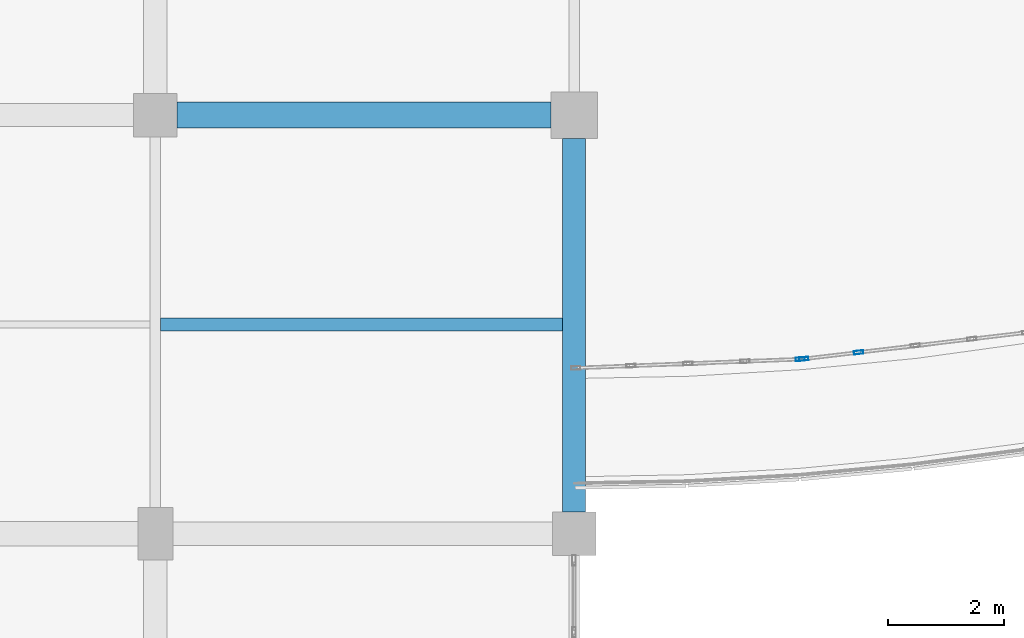
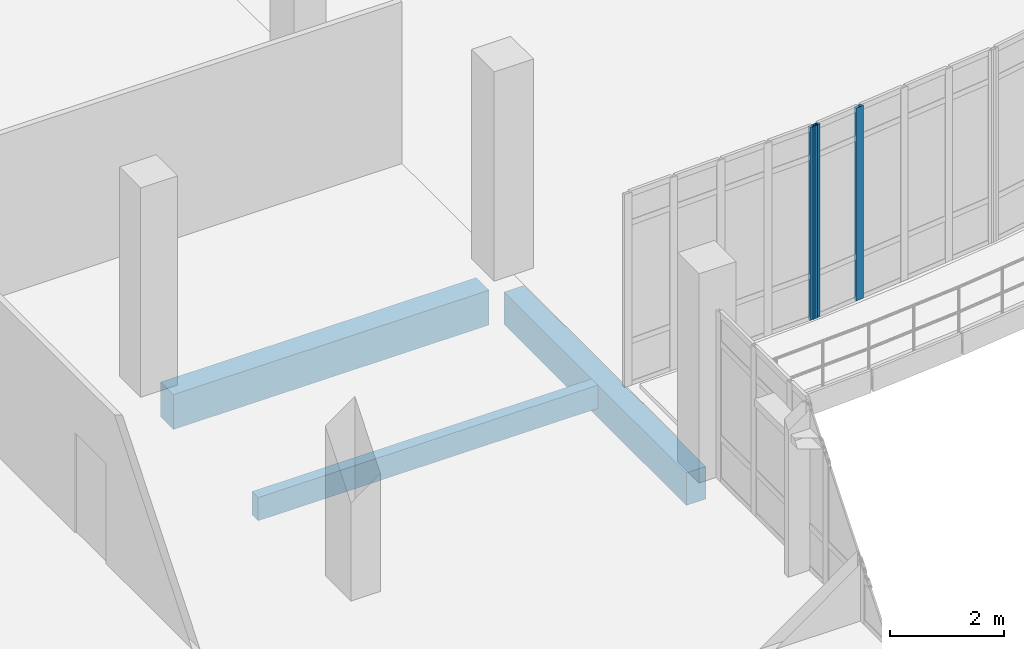
# One storey, part 22 of 134: 3 beams, 3 members, 2 elements without a shape of their own.
"""IFC4 building model written with IfcOpenShell, lengths in metres."""

from ifc_helpers import new_model, si_unit, direction, frame, origin, origin_2d, place, context, subcontext, project, spatial, rectangle, hollow_rectangle, extrude, material, material_profile, profile_set, type_object, element, aggregate, save


model = new_model("IFC4")

# Units and contexts
model_context = context("Model", 3, precision=1e-05, world=origin(), true_north=direction((0.0, 1.0)))
body_context = subcontext(model_context, "Body", "Model", "MODEL_VIEW")
ifc_project = project(units=[si_unit("LENGTHUNIT", "METRE"), si_unit("AREAUNIT", "SQUARE_METRE"), si_unit("VOLUMEUNIT", "CUBIC_METRE"), si_unit("PLANEANGLEUNIT", "RADIAN"), si_unit("MASSUNIT", "GRAM", prefix="KILO")], contexts=[model_context])

# Site, building, storey
site_placement = place(None, origin())
site = spatial("IfcSite", under=ifc_project, at=site_placement, CompositionType="ELEMENT")
building_placement = place(site_placement, origin())
building = spatial("IfcBuilding", under=site, at=building_placement, Name="Kalluvel Institute of Natural Sciences", CompositionType="ELEMENT")
storey_placement = place(building_placement, frame((0.0, 0.0, 5.39990234375)))
storey = spatial("IfcBuildingStorey", under=building, at=storey_placement, Name="L01", CompositionType="ELEMENT", Elevation=5.39990234375)

# Beams
ifc_material_1 = material(Name="Concrete M40", Category="concrete")
ifc_material_profile_1 = material_profile(ifc_material_1, rectangle(XDim=0.39990234375, YDim=0.699951171875, at=origin_2d()), Name="RCB 400x700")
ifc_profile_set_1 = profile_set([ifc_material_profile_1], Name="Concrete M40")
beam_type_1 = type_object("IfcBeamType", Name="BM-RC400x700", PredefinedType="BEAM", material=ifc_profile_set_1)
beam_1_placement = place(storey_placement, frame((35.60009765625, 50.375, -0.64990234375), z_axis=(0.0, 1.0, 0.0), x_axis=(-1.0, 0.0, 0.0)))
element("IfcBeam", 1, at=beam_1_placement, inside=storey, type_object=beam_type_1, Name="L01 girder GIR-L01-NS-X356-Y500", PredefinedType="BEAM", context=body_context, shape_type="SweptSolid", body=[
    extrude(rectangle(XDim=0.39990234375, YDim=0.699951171875, at=origin_2d()), origin(), (0.0, 0.0, 1.0), 6.425048828125),
])
ifc_material_profile_2 = material_profile(ifc_material_1, rectangle(XDim=0.449951171875, YDim=0.75, at=origin_2d()), Name="RCB 450x750")
ifc_profile_set_2 = profile_set([ifc_material_profile_2], Name="Concrete M40")
beam_type_2 = type_object("IfcBeamType", Name="BM-RC450x750", PredefinedType="BEAM", material=ifc_profile_set_2)
beam_2_placement = place(storey_placement, frame((28.77490234375, 57.199951171875, -0.6748046875), z_axis=(1.0, 0.0, 0.0), x_axis=(0.0, 1.0, 0.0)))
element("IfcBeam", 2, at=beam_2_placement, inside=storey, type_object=beam_type_2, Name="L01 girder GIR-L01-EW-X284-Y572", PredefinedType="BEAM", context=body_context, shape_type="SweptSolid", body=[
    extrude(rectangle(XDim=0.449951171875, YDim=0.75, at=origin_2d()), origin(), (0.0, 0.0, 1.0), 6.425048828125),
])

# Curtain wall, member
ifc_material_2 = material(Name="Aluminium AW-6063 T6", Category="aluminium")
curtain_wall_type = type_object("IfcCurtainWallType", Name="CW-ATR-ARC", PredefinedType="USERDEFINED", material=ifc_material_2)
curtain_wall_1_placement = place(storey_placement, origin())
curtain_wall_1 = element("IfcCurtainWall", 3, at=curtain_wall_1_placement, inside=storey, type_object=curtain_wall_type, Name="L01 Gothic lancet curtain wall CWA-L01-X356-Y528", ObjectType="UNITISED LANCET FACADE", PredefinedType="USERDEFINED")
ifc_material_profile_3 = material_profile(ifc_material_2, hollow_rectangle(XDim=0.06005859375, YDim=0.159912109375, WallThickness=0.00390625, at=origin_2d()), Name="CWM 60x160")
ifc_profile_set_3 = profile_set([ifc_material_profile_3], Name="Aluminium AW-6063 T6")
member_type = type_object("IfcMemberType", Name="CWM-60x160", PredefinedType="MULLION", material=ifc_profile_set_3)
member_1_placement = place(storey_placement, frame((39.489013671875, 53.0029296875, 0.0), z_axis=(0.0, 0.0, 1.0), x_axis=(-0.039265434438, 0.999228815466, 0.0)))
member_1 = element("IfcMember", 4, at=member_1_placement, type_object=member_type, Name="CW-05 mullion 5", PredefinedType="MULLION", context=body_context, shape_type="SweptSolid", body=[
    extrude(hollow_rectangle(XDim=0.06005859375, YDim=0.159912109375, WallThickness=0.00390625, at=origin_2d()), origin(), (0.0, 0.0, 1.0), 4.150146484375),
])
aggregate(curtain_wall_1, [member_1])

# Curtain wall, members
curtain_wall_2_placement = place(storey_placement, origin())
curtain_wall_2 = element("IfcCurtainWall", 5, at=curtain_wall_2_placement, inside=storey, type_object=curtain_wall_type, Name="L01 Gothic lancet curtain wall CWA-L01-X395-Y530", ObjectType="UNITISED LANCET FACADE", PredefinedType="USERDEFINED")
member_2_placement = place(storey_placement, frame((39.548828125, 53.007568359375, 0.0), z_axis=(0.0, 0.0, 1.0), x_axis=(-0.117539460852, 0.993068212734, 0.0)))
member_2 = element("IfcMember", 6, at=member_2_placement, type_object=member_type, Name="CW-05 mullion 1", PredefinedType="MULLION", context=body_context, shape_type="SweptSolid", body=[
    extrude(hollow_rectangle(XDim=0.06005859375, YDim=0.159912109375, WallThickness=0.00390625, at=origin_2d()), origin(), (0.0, 0.0, 1.0), 4.150146484375),
])
member_3_placement = place(storey_placement, frame((40.49267578125, 53.119140625, 0.0), z_axis=(0.0, 0.0, 1.0), x_axis=(-0.117539460852, 0.993068212734, 0.0)))
member_3 = element("IfcMember", 7, at=member_3_placement, type_object=member_type, Name="CW-05 mullion 2", PredefinedType="MULLION", context=body_context, shape_type="SweptSolid", body=[
    extrude(hollow_rectangle(XDim=0.06005859375, YDim=0.159912109375, WallThickness=0.00390625, at=origin_2d()), origin(), (0.0, 0.0, 1.0), 4.150146484375),
])
aggregate(curtain_wall_2, [member_2, member_3])

# Beam
ifc_material_profile_4 = material_profile(ifc_material_1, rectangle(XDim=0.219970703125, YDim=0.5, at=origin_2d()), Name="WAF 220x500")
ifc_profile_set_4 = profile_set([ifc_material_profile_4], Name="Concrete M40")
beam_type_3 = type_object("IfcBeamType", Name="WJ-220x500", PredefinedType="JOIST", material=ifc_profile_set_4)
beam_3_placement = place(storey_placement, frame((28.489990234375, 53.60009765625, -0.5498046875), z_axis=(1.0, 0.0, 0.0), x_axis=(0.0, 1.0, 0.0)))
element("IfcBeam", 8, at=beam_3_placement, inside=storey, type_object=beam_type_3, Name="L01 floor rib RIB-L01-0640", PredefinedType="JOIST", context=body_context, shape_type="SweptSolid", body=[
    extrude(rectangle(XDim=0.219970703125, YDim=0.5, at=origin_2d()), origin(), (0.0, 0.0, 1.0), 6.909912109375),
])

save(model, "model.ifc")
